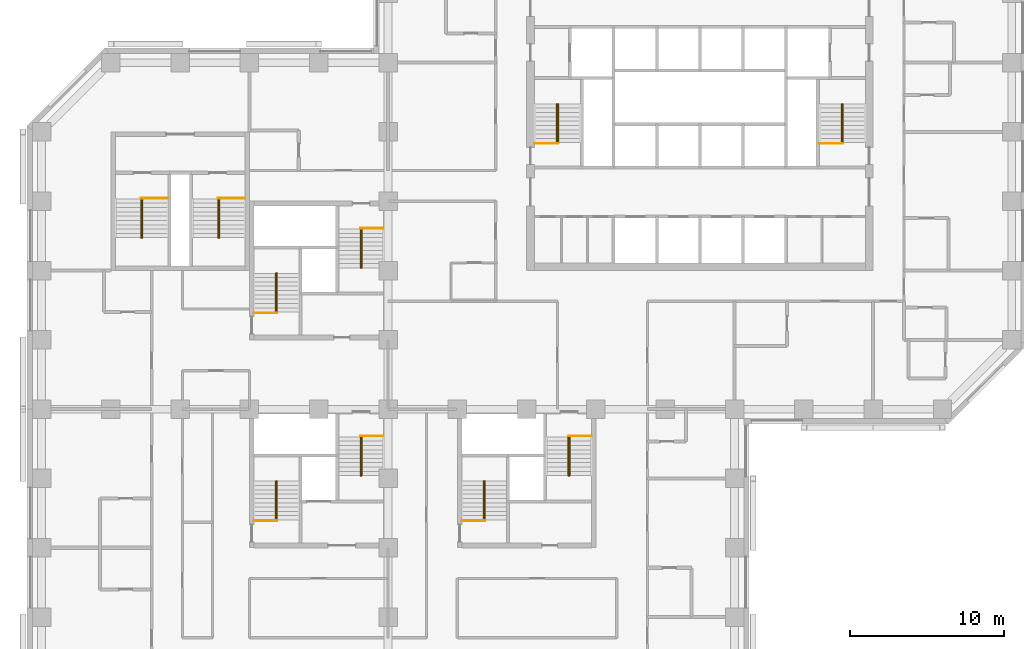
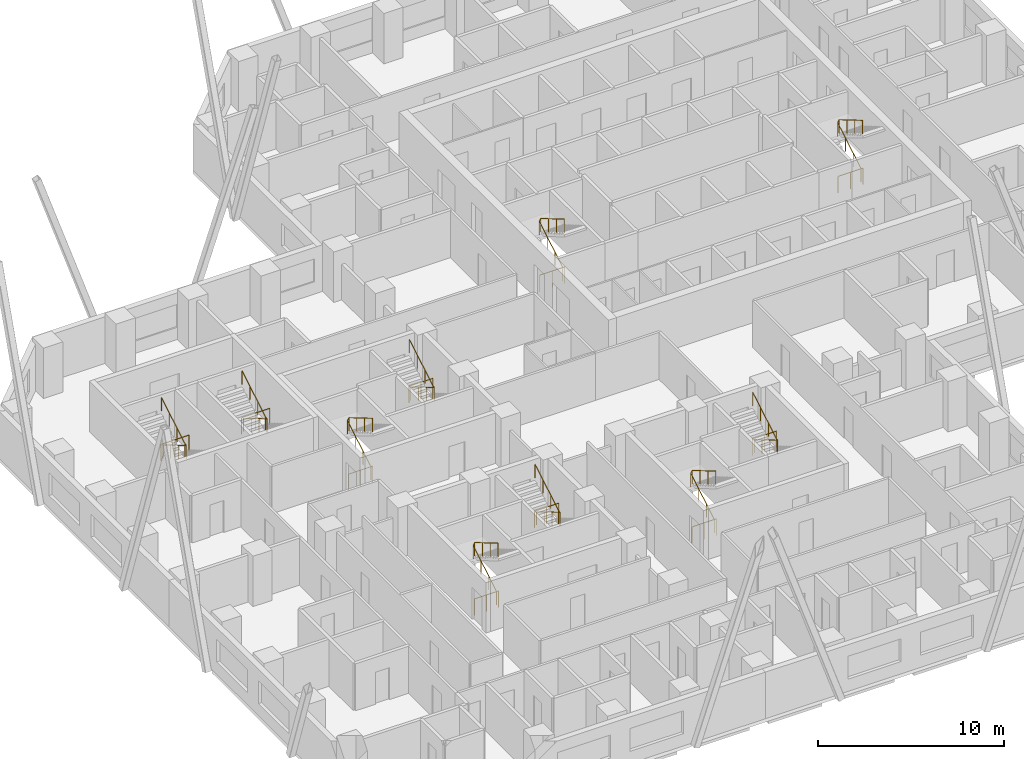
# One storey, part 13 of 13: 20 railings.
"""IFC4 building model written with IfcOpenShell, lengths in metres."""

from ifc_helpers import new_model, si_unit, direction, frame, origin, origin_2d, place, context, subcontext, project, spatial, circle, extrude, material, type_object, element, save


model = new_model("IFC4")

# Units and contexts
model_context = context("Model", 3, precision=1e-05, world=origin(), true_north=direction((0.0, 1.0)))
body_context = subcontext(model_context, "Body", "Model", "MODEL_VIEW")
ifc_project = project(units=[si_unit("LENGTHUNIT", "METRE"), si_unit("AREAUNIT", "SQUARE_METRE"), si_unit("VOLUMEUNIT", "CUBIC_METRE"), si_unit("PLANEANGLEUNIT", "RADIAN"), si_unit("MASSUNIT", "GRAM", prefix="KILO")], contexts=[model_context])

# Site, building, storey
site_placement = place(None, origin())
site = spatial("IfcSite", under=ifc_project, at=site_placement, CompositionType="ELEMENT")
building_placement = place(site_placement, origin())
building = spatial("IfcBuilding", under=site, at=building_placement, Name="Quoin Convention Tower", CompositionType="ELEMENT")
storey_placement = place(building_placement, frame((0.0, 0.0, 52.800048828125)))
storey = spatial("IfcBuildingStorey", under=building, at=storey_placement, Name="L13", CompositionType="ELEMENT", Elevation=52.800048828125)

# Railings
ifc_material = material(Name="Stainless steel", Category="steel")
railing_type_1 = type_object("IfcRailingType", Name="Stair handrail 900", PredefinedType="HANDRAIL", material=ifc_material)
for number, where, name in (
    (1, (46.955078125, 57.800048828125, 0.1650390625), "SD1 handrail 1"),
    (2, (65.455078125, 57.800048828125, 0.1650390625), "SD2 handrail 1"),
    (3, (28.705078125, 46.800048828125, 0.1650390625), "SD3 handrail 1"),
):
    element("IfcRailing", number, at=place(storey_placement, frame(where)), inside=storey, type_object=railing_type_1, Name=name, PredefinedType="HANDRAIL", context=body_context, shape_type="SweptSolid", body=[
        extrude(circle(Radius=0.02392578125, at=origin_2d()), frame((0.0, 0.0, 0.8759765625), z_axis=(0.0, 0.861560626758, 0.507654692109), x_axis=(-1.0, 0.0, 0.0)), (0.0, 0.0, 1.0), 2.925048828125),
        extrude(circle(Radius=0.02392578125, at=origin_2d()), frame((0.0, 2.52001953125, 2.36083984375), z_axis=(0.478123724308, 0.0, 0.878292493566), x_axis=(0.0, 1.0, 0.0)), (0.0, 0.0, 1.0), 0.18798828125),
        extrude(circle(Radius=0.02392578125, at=origin_2d()), frame((0.08984375, 2.52001953125, 2.52587890625), z_axis=(0.0, -0.86152411907, 0.507716645641), x_axis=(1.0, 0.0, 0.0)), (0.0, 0.0, 1.0), 2.925048828125),
        extrude(circle(Radius=0.02099609375, at=origin_2d()), origin(), (0.0, 0.0, 1.0), 0.851806640625),
        extrude(circle(Radius=0.02099609375, at=origin_2d()), frame((0.0, 0.840087890625, 0.494873046875)), (0.0, 0.0, 1.0), 0.851806640625),
        extrude(circle(Radius=0.02099609375, at=origin_2d()), frame((0.0, 1.679931640625, 0.989990234375)), (0.0, 0.0, 1.0), 0.851806640625),
        extrude(circle(Radius=0.02099609375, at=origin_2d()), frame((0.0, 2.52001953125, 1.48486328125)), (0.0, 0.0, 1.0), 0.851806640625),
        extrude(circle(Radius=0.02099609375, at=origin_2d()), frame((0.08984375, 2.52001953125, 1.64990234375)), (0.0, 0.0, 1.0), 0.851806640625),
        extrude(circle(Radius=0.02099609375, at=origin_2d()), frame((0.08984375, 1.679931640625, 2.14501953125)), (0.0, 0.0, 1.0), 0.851806640625),
        extrude(circle(Radius=0.02099609375, at=origin_2d()), frame((0.08984375, 0.840087890625, 2.639892578125)), (0.0, 0.0, 1.0), 0.851806640625),
        extrude(circle(Radius=0.02099609375, at=origin_2d()), frame((0.08984375, 0.0, 3.135009765625)), (0.0, 0.0, 1.0), 0.851806640625),
    ])
railing_1_placement = place(storey_placement, frame((34.294921875, 52.199951171875, 0.1650390625)))
element("IfcRailing", 4, at=railing_1_placement, inside=storey, type_object=railing_type_1, Name="SD4 handrail 1", PredefinedType="HANDRAIL", context=body_context, shape_type="SweptSolid", body=[
    extrude(circle(Radius=0.02392578125, at=origin_2d()), frame((0.0, 0.0, 0.8759765625), z_axis=(0.0, -0.861560626758, 0.507654692109), x_axis=(1.0, 0.0, 0.0)), (0.0, 0.0, 1.0), 2.925048828125),
    extrude(circle(Radius=0.02392578125, at=origin_2d()), frame((0.0, -2.52001953125, 2.36083984375), z_axis=(-0.478123724308, 0.0, 0.878292493566), x_axis=(0.0, -1.0, 0.0)), (0.0, 0.0, 1.0), 0.18798828125),
    extrude(circle(Radius=0.02392578125, at=origin_2d()), frame((-0.08984375, -2.52001953125, 2.52587890625), z_axis=(0.0, 0.86152411907, 0.507716645641), x_axis=(-1.0, 0.0, 0.0)), (0.0, 0.0, 1.0), 2.925048828125),
    extrude(circle(Radius=0.02099609375, at=origin_2d()), origin(), (0.0, 0.0, 1.0), 0.851806640625),
    extrude(circle(Radius=0.02099609375, at=origin_2d()), frame((0.0, -0.840087890625, 0.494873046875)), (0.0, 0.0, 1.0), 0.851806640625),
    extrude(circle(Radius=0.02099609375, at=origin_2d()), frame((0.0, -1.679931640625, 0.989990234375)), (0.0, 0.0, 1.0), 0.851806640625),
    extrude(circle(Radius=0.02099609375, at=origin_2d()), frame((0.0, -2.52001953125, 1.48486328125)), (0.0, 0.0, 1.0), 0.851806640625),
    extrude(circle(Radius=0.02099609375, at=origin_2d()), frame((-0.08984375, -2.52001953125, 1.64990234375)), (0.0, 0.0, 1.0), 0.851806640625),
    extrude(circle(Radius=0.02099609375, at=origin_2d()), frame((-0.08984375, -1.679931640625, 2.14501953125)), (0.0, 0.0, 1.0), 0.851806640625),
    extrude(circle(Radius=0.02099609375, at=origin_2d()), frame((-0.08984375, -0.840087890625, 2.639892578125)), (0.0, 0.0, 1.0), 0.851806640625),
    extrude(circle(Radius=0.02099609375, at=origin_2d()), frame((-0.08984375, 0.0, 3.135009765625)), (0.0, 0.0, 1.0), 0.851806640625),
])
railing_2_placement = place(storey_placement, frame((42.205078125, 33.300048828125, 0.1650390625)))
element("IfcRailing", 5, at=railing_2_placement, inside=storey, type_object=railing_type_1, Name="SD5 handrail 1", PredefinedType="HANDRAIL", context=body_context, shape_type="SweptSolid", body=[
    extrude(circle(Radius=0.02392578125, at=origin_2d()), frame((0.0, 0.0, 0.8759765625), z_axis=(0.0, 0.861560626758, 0.507654692109), x_axis=(-1.0, 0.0, 0.0)), (0.0, 0.0, 1.0), 2.925048828125),
    extrude(circle(Radius=0.02392578125, at=origin_2d()), frame((0.0, 2.52001953125, 2.36083984375), z_axis=(0.478123724308, 0.0, 0.878292493566), x_axis=(0.0, 1.0, 0.0)), (0.0, 0.0, 1.0), 0.18798828125),
    extrude(circle(Radius=0.02392578125, at=origin_2d()), frame((0.08984375, 2.52001953125, 2.52587890625), z_axis=(0.0, -0.86152411907, 0.507716645641), x_axis=(1.0, 0.0, 0.0)), (0.0, 0.0, 1.0), 2.925048828125),
    extrude(circle(Radius=0.02099609375, at=origin_2d()), origin(), (0.0, 0.0, 1.0), 0.851806640625),
    extrude(circle(Radius=0.02099609375, at=origin_2d()), frame((0.0, 0.840087890625, 0.494873046875)), (0.0, 0.0, 1.0), 0.851806640625),
    extrude(circle(Radius=0.02099609375, at=origin_2d()), frame((0.0, 1.679931640625, 0.989990234375)), (0.0, 0.0, 1.0), 0.851806640625),
    extrude(circle(Radius=0.02099609375, at=origin_2d()), frame((0.0, 2.52001953125, 1.48486328125)), (0.0, 0.0, 1.0), 0.851806640625),
    extrude(circle(Radius=0.02099609375, at=origin_2d()), frame((0.08984375, 2.52001953125, 1.64990234375)), (0.0, 0.0, 1.0), 0.851806640625),
    extrude(circle(Radius=0.02099609375, at=origin_2d()), frame((0.08984375, 1.679931640625, 2.14501953125)), (0.0, 0.0, 1.0), 0.851806640625),
    extrude(circle(Radius=0.02099609375, at=origin_2d()), frame((0.08984375, 0.840087890625, 2.639892578125)), (0.0, 0.0, 1.0), 0.851806640625),
    extrude(circle(Radius=0.02099609375, at=origin_2d()), frame((0.08984375, 0.0, 3.135009765625)), (0.0, 0.0, 1.0), 0.851806640625),
])
railing_3_placement = place(storey_placement, frame((47.794921875, 38.699951171875, 0.1650390625)))
element("IfcRailing", 6, at=railing_3_placement, inside=storey, type_object=railing_type_1, Name="SD6 handrail 1", PredefinedType="HANDRAIL", context=body_context, shape_type="SweptSolid", body=[
    extrude(circle(Radius=0.02392578125, at=origin_2d()), frame((0.0, 0.0, 0.8759765625), z_axis=(0.0, -0.861560626758, 0.507654692109), x_axis=(1.0, 0.0, 0.0)), (0.0, 0.0, 1.0), 2.925048828125),
    extrude(circle(Radius=0.02392578125, at=origin_2d()), frame((0.0, -2.52001953125, 2.36083984375), z_axis=(-0.478123724308, 0.0, 0.878292493566), x_axis=(0.0, -1.0, 0.0)), (0.0, 0.0, 1.0), 0.18798828125),
    extrude(circle(Radius=0.02392578125, at=origin_2d()), frame((-0.08984375, -2.52001953125, 2.52587890625), z_axis=(0.0, 0.86152411907, 0.507716645641), x_axis=(-1.0, 0.0, 0.0)), (0.0, 0.0, 1.0), 2.925048828125),
    extrude(circle(Radius=0.02099609375, at=origin_2d()), origin(), (0.0, 0.0, 1.0), 0.851806640625),
    extrude(circle(Radius=0.02099609375, at=origin_2d()), frame((0.0, -0.840087890625, 0.494873046875)), (0.0, 0.0, 1.0), 0.851806640625),
    extrude(circle(Radius=0.02099609375, at=origin_2d()), frame((0.0, -1.679931640625, 0.989990234375)), (0.0, 0.0, 1.0), 0.851806640625),
    extrude(circle(Radius=0.02099609375, at=origin_2d()), frame((0.0, -2.52001953125, 1.48486328125)), (0.0, 0.0, 1.0), 0.851806640625),
    extrude(circle(Radius=0.02099609375, at=origin_2d()), frame((-0.08984375, -2.52001953125, 1.64990234375)), (0.0, 0.0, 1.0), 0.851806640625),
    extrude(circle(Radius=0.02099609375, at=origin_2d()), frame((-0.08984375, -1.679931640625, 2.14501953125)), (0.0, 0.0, 1.0), 0.851806640625),
    extrude(circle(Radius=0.02099609375, at=origin_2d()), frame((-0.08984375, -0.840087890625, 2.639892578125)), (0.0, 0.0, 1.0), 0.851806640625),
    extrude(circle(Radius=0.02099609375, at=origin_2d()), frame((-0.08984375, 0.0, 3.135009765625)), (0.0, 0.0, 1.0), 0.851806640625),
])
railing_4_placement = place(storey_placement, frame((28.705078125, 33.300048828125, 0.1650390625)))
element("IfcRailing", 7, at=railing_4_placement, inside=storey, type_object=railing_type_1, Name="SD7 handrail 1", PredefinedType="HANDRAIL", context=body_context, shape_type="SweptSolid", body=[
    extrude(circle(Radius=0.02392578125, at=origin_2d()), frame((0.0, 0.0, 0.8759765625), z_axis=(0.0, 0.861560626758, 0.507654692109), x_axis=(-1.0, 0.0, 0.0)), (0.0, 0.0, 1.0), 2.925048828125),
    extrude(circle(Radius=0.02392578125, at=origin_2d()), frame((0.0, 2.52001953125, 2.36083984375), z_axis=(0.478123724308, 0.0, 0.878292493566), x_axis=(0.0, 1.0, 0.0)), (0.0, 0.0, 1.0), 0.18798828125),
    extrude(circle(Radius=0.02392578125, at=origin_2d()), frame((0.08984375, 2.52001953125, 2.52587890625), z_axis=(0.0, -0.86152411907, 0.507716645641), x_axis=(1.0, 0.0, 0.0)), (0.0, 0.0, 1.0), 2.925048828125),
    extrude(circle(Radius=0.02099609375, at=origin_2d()), origin(), (0.0, 0.0, 1.0), 0.851806640625),
    extrude(circle(Radius=0.02099609375, at=origin_2d()), frame((0.0, 0.840087890625, 0.494873046875)), (0.0, 0.0, 1.0), 0.851806640625),
    extrude(circle(Radius=0.02099609375, at=origin_2d()), frame((0.0, 1.679931640625, 0.989990234375)), (0.0, 0.0, 1.0), 0.851806640625),
    extrude(circle(Radius=0.02099609375, at=origin_2d()), frame((0.0, 2.52001953125, 1.48486328125)), (0.0, 0.0, 1.0), 0.851806640625),
    extrude(circle(Radius=0.02099609375, at=origin_2d()), frame((0.08984375, 2.52001953125, 1.64990234375)), (0.0, 0.0, 1.0), 0.851806640625),
    extrude(circle(Radius=0.02099609375, at=origin_2d()), frame((0.08984375, 1.679931640625, 2.14501953125)), (0.0, 0.0, 1.0), 0.851806640625),
    extrude(circle(Radius=0.02099609375, at=origin_2d()), frame((0.08984375, 0.840087890625, 2.639892578125)), (0.0, 0.0, 1.0), 0.851806640625),
    extrude(circle(Radius=0.02099609375, at=origin_2d()), frame((0.08984375, 0.0, 3.135009765625)), (0.0, 0.0, 1.0), 0.851806640625),
])
for number, where, name in (
    (8, (34.294921875, 38.699951171875, 0.1650390625), "SD8 handrail 1"),
    (9, (20.044921875, 54.14990234375, 0.1650390625), "SD11 handrail 1"),
    (10, (25.044921875, 54.14990234375, 0.1650390625), "SD12 handrail 1"),
):
    element("IfcRailing", number, at=place(storey_placement, frame(where)), inside=storey, type_object=railing_type_1, Name=name, PredefinedType="HANDRAIL", context=body_context, shape_type="SweptSolid", body=[
        extrude(circle(Radius=0.02392578125, at=origin_2d()), frame((0.0, 0.0, 0.8759765625), z_axis=(0.0, -0.861560626758, 0.507654692109), x_axis=(1.0, 0.0, 0.0)), (0.0, 0.0, 1.0), 2.925048828125),
        extrude(circle(Radius=0.02392578125, at=origin_2d()), frame((0.0, -2.52001953125, 2.36083984375), z_axis=(-0.478123724308, 0.0, 0.878292493566), x_axis=(0.0, -1.0, 0.0)), (0.0, 0.0, 1.0), 0.18798828125),
        extrude(circle(Radius=0.02392578125, at=origin_2d()), frame((-0.08984375, -2.52001953125, 2.52587890625), z_axis=(0.0, 0.86152411907, 0.507716645641), x_axis=(-1.0, 0.0, 0.0)), (0.0, 0.0, 1.0), 2.925048828125),
        extrude(circle(Radius=0.02099609375, at=origin_2d()), origin(), (0.0, 0.0, 1.0), 0.851806640625),
        extrude(circle(Radius=0.02099609375, at=origin_2d()), frame((0.0, -0.840087890625, 0.494873046875)), (0.0, 0.0, 1.0), 0.851806640625),
        extrude(circle(Radius=0.02099609375, at=origin_2d()), frame((0.0, -1.679931640625, 0.989990234375)), (0.0, 0.0, 1.0), 0.851806640625),
        extrude(circle(Radius=0.02099609375, at=origin_2d()), frame((0.0, -2.52001953125, 1.48486328125)), (0.0, 0.0, 1.0), 0.851806640625),
        extrude(circle(Radius=0.02099609375, at=origin_2d()), frame((-0.08984375, -2.52001953125, 1.64990234375)), (0.0, 0.0, 1.0), 0.851806640625),
        extrude(circle(Radius=0.02099609375, at=origin_2d()), frame((-0.08984375, -1.679931640625, 2.14501953125)), (0.0, 0.0, 1.0), 0.851806640625),
        extrude(circle(Radius=0.02099609375, at=origin_2d()), frame((-0.08984375, -0.840087890625, 2.639892578125)), (0.0, 0.0, 1.0), 0.851806640625),
        extrude(circle(Radius=0.02099609375, at=origin_2d()), frame((-0.08984375, 0.0, 3.135009765625)), (0.0, 0.0, 1.0), 0.851806640625),
    ])
railing_type_2 = type_object("IfcRailingType", Name="Stair top guard 1100", PredefinedType="GUARDRAIL", material=ifc_material)
for number, where, name in (
    (11, (45.5, 57.75, 0.0), "SD1 top guard"),
    (12, (64.0, 57.75, 0.0), "SD2 top guard"),
):
    element("IfcRailing", number, at=place(storey_placement, frame(where)), inside=storey, type_object=railing_type_2, Name=name, PredefinedType="GUARDRAIL", context=body_context, shape_type="SweptSolid", body=[
        extrude(circle(Radius=0.02392578125, at=origin_2d()), frame((0.0, 0.0, 1.076171875), z_axis=(1.0, 0.0, 0.0), x_axis=(0.0, 1.0, 0.0)), (0.0, 0.0, 1.0), 1.544921875),
        extrude(circle(Radius=0.02099609375, at=origin_2d()), origin(), (0.0, 0.0, 1.0), 1.052001953125),
        extrude(circle(Radius=0.02099609375, at=origin_2d()), frame((0.7724609375, 0.0, 0.0)), (0.0, 0.0, 1.0), 1.052001953125),
        extrude(circle(Radius=0.02099609375, at=origin_2d()), frame((1.544921875, 0.0, 0.0)), (0.0, 0.0, 1.0), 1.052001953125),
    ])
railing_5_placement = place(storey_placement, frame((27.300048828125, 46.75, 0.0)))
element("IfcRailing", 13, at=railing_5_placement, inside=storey, type_object=railing_type_2, Name="SD3 top guard", PredefinedType="GUARDRAIL", context=body_context, shape_type="SweptSolid", body=[
    extrude(circle(Radius=0.02392578125, at=origin_2d()), frame((0.0, 0.0, 1.076171875), z_axis=(1.0, 0.0, 0.0), x_axis=(0.0, 1.0, 0.0)), (0.0, 0.0, 1.0), 1.494873046875),
    extrude(circle(Radius=0.02099609375, at=origin_2d()), origin(), (0.0, 0.0, 1.0), 1.052001953125),
    extrude(circle(Radius=0.02099609375, at=origin_2d()), frame((0.74755859375, 0.0, 0.0)), (0.0, 0.0, 1.0), 1.052001953125),
    extrude(circle(Radius=0.02099609375, at=origin_2d()), frame((1.494873046875, 0.0, 0.0)), (0.0, 0.0, 1.0), 1.052001953125),
])
railing_6_placement = place(storey_placement, frame((35.699951171875, 52.25, 0.0)))
element("IfcRailing", 14, at=railing_6_placement, inside=storey, type_object=railing_type_2, Name="SD4 top guard", PredefinedType="GUARDRAIL", context=body_context, shape_type="SweptSolid", body=[
    extrude(circle(Radius=0.02392578125, at=origin_2d()), frame((0.0, 0.0, 1.076171875), z_axis=(-1.0, 0.0, 0.0), x_axis=(0.0, -1.0, 0.0)), (0.0, 0.0, 1.0), 1.494873046875),
    extrude(circle(Radius=0.02099609375, at=origin_2d()), origin(), (0.0, 0.0, 1.0), 1.052001953125),
    extrude(circle(Radius=0.02099609375, at=origin_2d()), frame((-0.74755859375, 0.0, 0.0)), (0.0, 0.0, 1.0), 1.052001953125),
    extrude(circle(Radius=0.02099609375, at=origin_2d()), frame((-1.494873046875, 0.0, 0.0)), (0.0, 0.0, 1.0), 1.052001953125),
])
railing_7_placement = place(storey_placement, frame((40.800048828125, 33.25, 0.0)))
element("IfcRailing", 15, at=railing_7_placement, inside=storey, type_object=railing_type_2, Name="SD5 top guard", PredefinedType="GUARDRAIL", context=body_context, shape_type="SweptSolid", body=[
    extrude(circle(Radius=0.02392578125, at=origin_2d()), frame((0.0, 0.0, 1.076171875), z_axis=(1.0, 0.0, 0.0), x_axis=(0.0, 1.0, 0.0)), (0.0, 0.0, 1.0), 1.494873046875),
    extrude(circle(Radius=0.02099609375, at=origin_2d()), origin(), (0.0, 0.0, 1.0), 1.052001953125),
    extrude(circle(Radius=0.02099609375, at=origin_2d()), frame((0.74755859375, 0.0, 0.0)), (0.0, 0.0, 1.0), 1.052001953125),
    extrude(circle(Radius=0.02099609375, at=origin_2d()), frame((1.494873046875, 0.0, 0.0)), (0.0, 0.0, 1.0), 1.052001953125),
])
railing_8_placement = place(storey_placement, frame((49.199951171875, 38.75, 0.0)))
element("IfcRailing", 16, at=railing_8_placement, inside=storey, type_object=railing_type_2, Name="SD6 top guard", PredefinedType="GUARDRAIL", context=body_context, shape_type="SweptSolid", body=[
    extrude(circle(Radius=0.02392578125, at=origin_2d()), frame((0.0, 0.0, 1.076171875), z_axis=(-1.0, 0.0, 0.0), x_axis=(0.0, -1.0, 0.0)), (0.0, 0.0, 1.0), 1.494873046875),
    extrude(circle(Radius=0.02099609375, at=origin_2d()), origin(), (0.0, 0.0, 1.0), 1.052001953125),
    extrude(circle(Radius=0.02099609375, at=origin_2d()), frame((-0.74755859375, 0.0, 0.0)), (0.0, 0.0, 1.0), 1.052001953125),
    extrude(circle(Radius=0.02099609375, at=origin_2d()), frame((-1.494873046875, 0.0, 0.0)), (0.0, 0.0, 1.0), 1.052001953125),
])
railing_9_placement = place(storey_placement, frame((27.300048828125, 33.25, 0.0)))
element("IfcRailing", 17, at=railing_9_placement, inside=storey, type_object=railing_type_2, Name="SD7 top guard", PredefinedType="GUARDRAIL", context=body_context, shape_type="SweptSolid", body=[
    extrude(circle(Radius=0.02392578125, at=origin_2d()), frame((0.0, 0.0, 1.076171875), z_axis=(1.0, 0.0, 0.0), x_axis=(0.0, 1.0, 0.0)), (0.0, 0.0, 1.0), 1.494873046875),
    extrude(circle(Radius=0.02099609375, at=origin_2d()), origin(), (0.0, 0.0, 1.0), 1.052001953125),
    extrude(circle(Radius=0.02099609375, at=origin_2d()), frame((0.74755859375, 0.0, 0.0)), (0.0, 0.0, 1.0), 1.052001953125),
    extrude(circle(Radius=0.02099609375, at=origin_2d()), frame((1.494873046875, 0.0, 0.0)), (0.0, 0.0, 1.0), 1.052001953125),
])
railing_10_placement = place(storey_placement, frame((35.699951171875, 38.75, 0.0)))
element("IfcRailing", 18, at=railing_10_placement, inside=storey, type_object=railing_type_2, Name="SD8 top guard", PredefinedType="GUARDRAIL", context=body_context, shape_type="SweptSolid", body=[
    extrude(circle(Radius=0.02392578125, at=origin_2d()), frame((0.0, 0.0, 1.076171875), z_axis=(-1.0, 0.0, 0.0), x_axis=(0.0, -1.0, 0.0)), (0.0, 0.0, 1.0), 1.494873046875),
    extrude(circle(Radius=0.02099609375, at=origin_2d()), origin(), (0.0, 0.0, 1.0), 1.052001953125),
    extrude(circle(Radius=0.02099609375, at=origin_2d()), frame((-0.74755859375, 0.0, 0.0)), (0.0, 0.0, 1.0), 1.052001953125),
    extrude(circle(Radius=0.02099609375, at=origin_2d()), frame((-1.494873046875, 0.0, 0.0)), (0.0, 0.0, 1.0), 1.052001953125),
])
for number, where, name in (
    (19, (21.699951171875, 54.199951171875, 0.0), "SD11 top guard"),
    (20, (26.699951171875, 54.199951171875, 0.0), "SD12 top guard"),
):
    element("IfcRailing", number, at=place(storey_placement, frame(where)), inside=storey, type_object=railing_type_2, Name=name, PredefinedType="GUARDRAIL", context=body_context, shape_type="SweptSolid", body=[
        extrude(circle(Radius=0.02392578125, at=origin_2d()), frame((0.0, 0.0, 1.076171875), z_axis=(-1.0, 0.0, 0.0), x_axis=(0.0, -1.0, 0.0)), (0.0, 0.0, 1.0), 1.744873046875),
        extrude(circle(Radius=0.02099609375, at=origin_2d()), origin(), (0.0, 0.0, 1.0), 1.052001953125),
        extrude(circle(Radius=0.02099609375, at=origin_2d()), frame((-0.87255859375, 0.0, 0.0)), (0.0, 0.0, 1.0), 1.052001953125),
        extrude(circle(Radius=0.02099609375, at=origin_2d()), frame((-1.744873046875, 0.0, 0.0)), (0.0, 0.0, 1.0), 1.052001953125),
    ])

save(model, "model.ifc")
